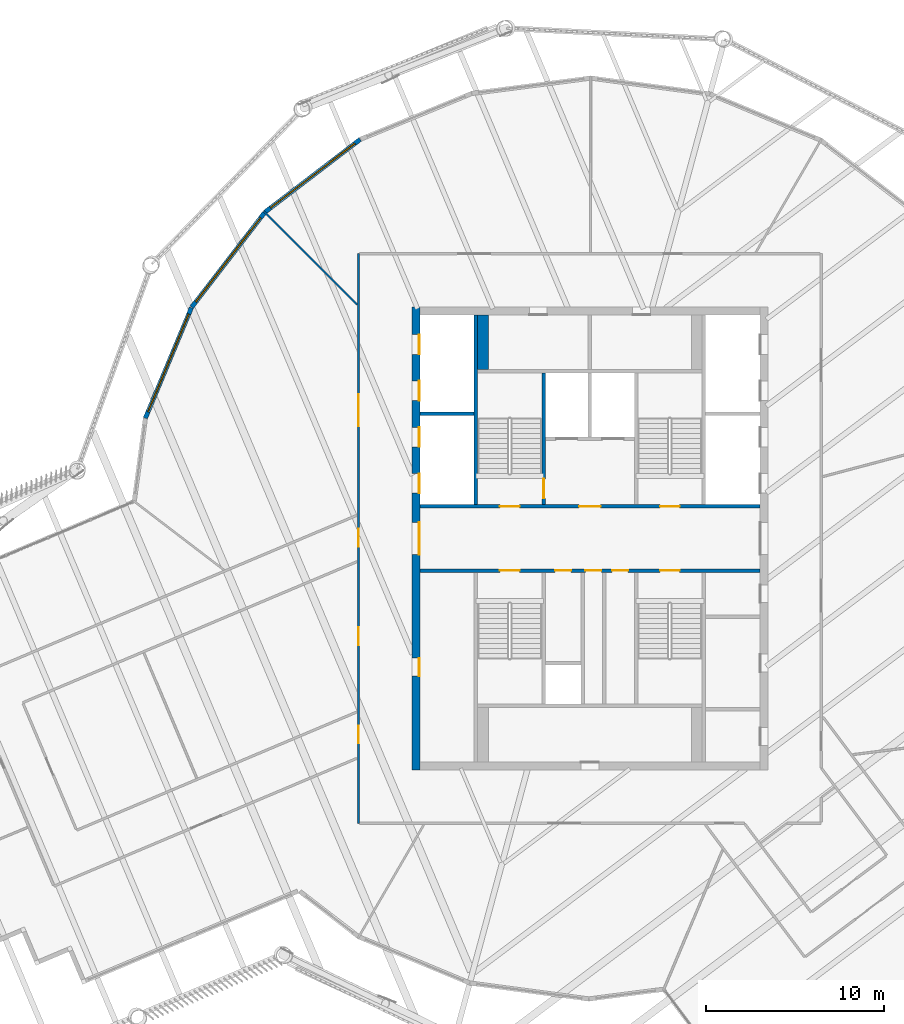
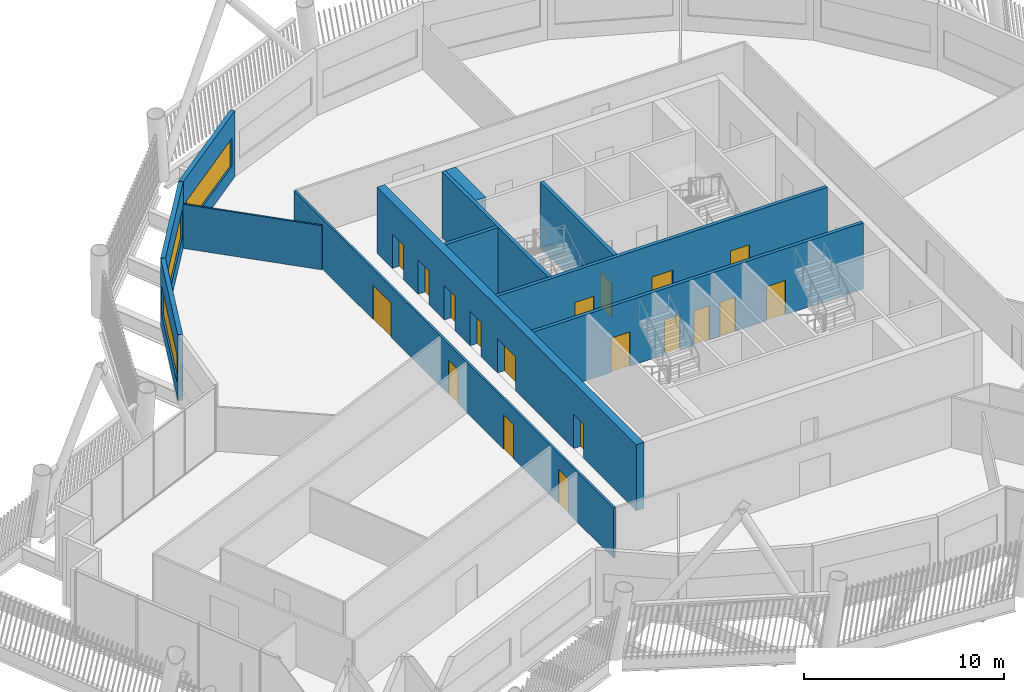
# One storey, part 18 of 35: 19 doors, 12 walls, 3 windows, 22 openings.
"""IFC4 building model written with IfcOpenShell, lengths in metres."""

from ifc_helpers import new_model, si_unit, direction, frame, frame_2d, origin, place, context, subcontext, project, spatial, rectangle, extrude, material, layer, layer_set, type_object, element, fill, save


model = new_model("IFC4")

# Units and contexts
model_context = context("Model", 3, precision=1e-05, world=origin(), true_north=direction((0.0, 1.0)))
body_context = subcontext(model_context, "Body", "Model", "MODEL_VIEW")
ifc_project = project(units=[si_unit("LENGTHUNIT", "METRE"), si_unit("AREAUNIT", "SQUARE_METRE"), si_unit("VOLUMEUNIT", "CUBIC_METRE"), si_unit("PLANEANGLEUNIT", "RADIAN"), si_unit("MASSUNIT", "GRAM", prefix="KILO")], contexts=[model_context])

# Site, building, storey
site_placement = place(None, origin())
site = spatial("IfcSite", under=ifc_project, at=site_placement, CompositionType="ELEMENT")
building_placement = place(site_placement, origin())
building = spatial("IfcBuilding", under=site, at=building_placement, Name="Tarsis Ring Headquarters", CompositionType="ELEMENT")
storey_placement = place(building_placement, frame((0.0, 0.0, 377.60009765625)))
storey = spatial("IfcBuildingStorey", under=building, at=storey_placement, Name="L89", CompositionType="ELEMENT", Elevation=377.60009765625)

# Wall, openings, doors
ifc_material_1 = material(Name="Concrete C50/60", Category="concrete")
ifc_layer_1 = layer(ifc_material_1, 0.449951171875)
ifc_layer_set_1 = layer_set([ifc_layer_1], Name="Core wall 450 C50/60")
wall_type_1 = type_object("IfcWallType", Name="Core wall 450 C50/60", PredefinedType="SHEAR", material=ifc_layer_set_1)
wall_1_placement = place(storey_placement, frame((-9.77490234375, -13.0, 0.0), z_axis=(0.0, 0.0, 1.0), x_axis=(0.0, 1.0, 0.0)))
wall_1 = element("IfcWall", 1, at=wall_1_placement, inside=storey, type_object=wall_type_1, Name="Core wall OW", PredefinedType="SHEAR", context=body_context, shape_type="SweptSolid", body=[
    extrude(rectangle(XDim=26.0, YDim=0.449951171875, at=frame_2d((13.0, 0.0))), origin(), (0.0, 0.0, 1.0), 4.039794921875),
])
opening_1_placement = place(wall_1_placement, frame((5.27490234375, 0.0, 0.0)))
opening_1 = element("IfcOpeningElement", 2, at=opening_1_placement, cuts=wall_1, Name="Opening L89-C01", PredefinedType="OPENING", context=body_context, shape_type="SweptSolid", body=[
    extrude(rectangle(XDim=1.0, YDim=2.10009765625, at=frame_2d((0.5, 1.050048828125))), frame((0.0, 0.23486328125, 0.0), z_axis=(0.0, -1.0, 0.0), x_axis=(1.0, 0.0, 0.0)), (0.0, 0.0, 1.0), 0.469970703125),
])
opening_2_placement = place(wall_1_placement, frame((12.10009765625, 0.0, 0.0)))
opening_2 = element("IfcOpeningElement", 3, at=opening_2_placement, cuts=wall_1, Name="Opening L89-C02", PredefinedType="OPENING", context=body_context, shape_type="SweptSolid", body=[
    extrude(rectangle(XDim=1.800048828125, YDim=2.10009765625, at=frame_2d((0.89990234375, 1.050048828125))), frame((0.0, 0.23486328125, 0.0), z_axis=(0.0, -1.0, 0.0), x_axis=(1.0, 0.0, 0.0)), (0.0, 0.0, 1.0), 0.469970703125),
])
opening_3_placement = place(wall_1_placement, frame((15.550048828125, 0.0, 0.0)))
opening_3 = element("IfcOpeningElement", 4, at=opening_3_placement, cuts=wall_1, Name="Opening LD-HR1", PredefinedType="OPENING", context=body_context, shape_type="SweptSolid", body=[
    extrude(rectangle(XDim=1.10009765625, YDim=2.10009765625, at=frame_2d((0.550048828125, 1.050048828125))), frame((0.0, 0.23486328125, 0.0), z_axis=(0.0, -1.0, 0.0), x_axis=(1.0, 0.0, 0.0)), (0.0, 0.0, 1.0), 0.469970703125),
])
opening_4_placement = place(wall_1_placement, frame((18.14990234375, 0.0, 0.0)))
opening_4 = element("IfcOpeningElement", 5, at=opening_4_placement, cuts=wall_1, Name="Opening LD-HR2", PredefinedType="OPENING", context=body_context, shape_type="SweptSolid", body=[
    extrude(rectangle(XDim=1.10009765625, YDim=2.10009765625, at=frame_2d((0.550048828125, 1.050048828125))), frame((0.0, 0.23486328125, 0.0), z_axis=(0.0, -1.0, 0.0), x_axis=(1.0, 0.0, 0.0)), (0.0, 0.0, 1.0), 0.469970703125),
])
opening_5_placement = place(wall_1_placement, frame((20.75, 0.0, 0.0)))
opening_5 = element("IfcOpeningElement", 6, at=opening_5_placement, cuts=wall_1, Name="Opening LD-HR3", PredefinedType="OPENING", context=body_context, shape_type="SweptSolid", body=[
    extrude(rectangle(XDim=1.10009765625, YDim=2.10009765625, at=frame_2d((0.550048828125, 1.050048828125))), frame((0.0, 0.23486328125, 0.0), z_axis=(0.0, -1.0, 0.0), x_axis=(1.0, 0.0, 0.0)), (0.0, 0.0, 1.0), 0.469970703125),
])
opening_6_placement = place(wall_1_placement, frame((23.35009765625, 0.0, 0.0)))
opening_6 = element("IfcOpeningElement", 7, at=opening_6_placement, cuts=wall_1, Name="Opening LD-HR4", PredefinedType="OPENING", context=body_context, shape_type="SweptSolid", body=[
    extrude(rectangle(XDim=1.10009765625, YDim=2.10009765625, at=frame_2d((0.550048828125, 1.050048828125))), frame((0.0, 0.23486328125, 0.0), z_axis=(0.0, -1.0, 0.0), x_axis=(1.0, 0.0, 0.0)), (0.0, 0.0, 1.0), 0.469970703125),
])
ifc_material_2 = material(Name="Steel S355", Category="steel")
door_type_1 = type_object("IfcDoorType", Name="Core entry door 1800x2100", OperationType="DOUBLE_DOOR_SINGLE_SWING", PredefinedType="DOOR", material=ifc_material_2)
door_1_placement = place(opening_2_placement, origin())
door_1 = element("IfcDoor", 8, at=door_1_placement, inside=storey, type_object=door_type_1, Name="Core entry door L89", OperationType="DOUBLE_DOOR_SINGLE_SWING", OverallHeight=2.10009765625, OverallWidth=1.800048828125, PredefinedType="DOOR", context=body_context, shape_type="SweptSolid", body=[
    extrude(rectangle(XDim=1.800048828125, YDim=2.10009765625, at=frame_2d((0.89990234375, 1.050048828125))), frame((0.0, -0.1748046875, 0.0), z_axis=(0.0, -1.0, 0.0), x_axis=(1.0, 0.0, 0.0)), (0.0, 0.0, 1.0), 0.050048828125),
])
fill(opening_2, door_1)
door_type_2 = type_object("IfcDoorType", Name="Core room door 1000x2100", OperationType="SINGLE_SWING_LEFT", PredefinedType="DOOR", material=ifc_material_2)
door_2_placement = place(opening_1_placement, origin())
door_2 = element("IfcDoor", 9, at=door_2_placement, inside=storey, type_object=door_type_2, Name="Core room door L89", OperationType="SINGLE_SWING_LEFT", OverallHeight=2.10009765625, OverallWidth=1.0, PredefinedType="DOOR", context=body_context, shape_type="SweptSolid", body=[
    extrude(rectangle(XDim=1.0, YDim=2.10009765625, at=frame_2d((0.5, 1.050048828125))), frame((0.0, -0.1748046875, 0.0), z_axis=(0.0, -1.0, 0.0), x_axis=(1.0, 0.0, 0.0)), (0.0, 0.0, 1.0), 0.050048828125),
])
fill(opening_1, door_2)
door_type_3 = type_object("IfcDoorType", Name="Landing door 1100x2100", OperationType="SLIDING_TO_LEFT", PredefinedType="DOOR", material=ifc_material_2)
door_3_placement = place(opening_3_placement, origin())
door_3 = element("IfcDoor", 10, at=door_3_placement, inside=storey, type_object=door_type_3, Name="Landing door HR1 L89", OperationType="SLIDING_TO_LEFT", OverallHeight=2.10009765625, OverallWidth=1.10009765625, PredefinedType="DOOR", context=body_context, shape_type="SweptSolid", body=[
    extrude(rectangle(XDim=1.10009765625, YDim=2.10009765625, at=frame_2d((0.550048828125, 1.050048828125))), frame((0.0, -0.1748046875, 0.0), z_axis=(0.0, -1.0, 0.0), x_axis=(1.0, 0.0, 0.0)), (0.0, 0.0, 1.0), 0.050048828125),
])
fill(opening_3, door_3)
door_4_placement = place(opening_4_placement, origin())
door_4 = element("IfcDoor", 11, at=door_4_placement, inside=storey, type_object=door_type_3, Name="Landing door HR2 L89", OperationType="SLIDING_TO_LEFT", OverallHeight=2.10009765625, OverallWidth=1.10009765625, PredefinedType="DOOR", context=body_context, shape_type="SweptSolid", body=[
    extrude(rectangle(XDim=1.10009765625, YDim=2.10009765625, at=frame_2d((0.550048828125, 1.050048828125))), frame((0.0, -0.1748046875, 0.0), z_axis=(0.0, -1.0, 0.0), x_axis=(1.0, 0.0, 0.0)), (0.0, 0.0, 1.0), 0.050048828125),
])
fill(opening_4, door_4)
door_5_placement = place(opening_5_placement, origin())
door_5 = element("IfcDoor", 12, at=door_5_placement, inside=storey, type_object=door_type_3, Name="Landing door HR3 L89", OperationType="SLIDING_TO_LEFT", OverallHeight=2.10009765625, OverallWidth=1.10009765625, PredefinedType="DOOR", context=body_context, shape_type="SweptSolid", body=[
    extrude(rectangle(XDim=1.10009765625, YDim=2.10009765625, at=frame_2d((0.550048828125, 1.050048828125))), frame((0.0, -0.1748046875, 0.0), z_axis=(0.0, -1.0, 0.0), x_axis=(1.0, 0.0, 0.0)), (0.0, 0.0, 1.0), 0.050048828125),
])
fill(opening_5, door_5)
door_6_placement = place(opening_6_placement, origin())
door_6 = element("IfcDoor", 13, at=door_6_placement, inside=storey, type_object=door_type_3, Name="Landing door HR4 L89", OperationType="SLIDING_TO_LEFT", OverallHeight=2.10009765625, OverallWidth=1.10009765625, PredefinedType="DOOR", context=body_context, shape_type="SweptSolid", body=[
    extrude(rectangle(XDim=1.10009765625, YDim=2.10009765625, at=frame_2d((0.550048828125, 1.050048828125))), frame((0.0, -0.1748046875, 0.0), z_axis=(0.0, -1.0, 0.0), x_axis=(1.0, 0.0, 0.0)), (0.0, 0.0, 1.0), 0.050048828125),
])
fill(opening_6, door_6)

# Wall
ifc_material_3 = material(Name="Gypsum board on steel studs", Category="steel")
ifc_layer_2 = layer(ifc_material_3, 0.10009765625)
ifc_layer_set_2 = layer_set([ifc_layer_2], Name="FL partition 100 unrated")
wall_type_2 = type_object("IfcWallType", Name="FL partition 100 unrated", PredefinedType="PARTITIONING", material=ifc_layer_set_2)
wall_2_placement = place(storey_placement, frame((-18.309326171875, 18.38623046875, 0.0), z_axis=(0.0, 0.0, 1.0), x_axis=(0.705621441005, -0.708589007813, 0.0)))
element("IfcWall", 14, at=wall_2_placement, inside=storey, type_object=wall_type_2, Name="Partition PW3", PredefinedType="PARTITIONING", context=body_context, shape_type="SweptSolid", body=[
    extrude(rectangle(XDim=7.404296875, YDim=0.10009765625, at=frame_2d((3.7021484375, 0.0))), origin(), (0.0, 0.0, 1.0), 2.699951171875),
])

# Wall, openings, doors
ifc_layer_3 = layer(ifc_material_3, 0.125)
ifc_layer_set_3 = layer_set([ifc_layer_3], Name="FL partition 125 EI 60 H3070")
wall_type_3 = type_object("IfcWallType", Name="FL partition 125 EI 60 H3070", PredefinedType="PARTITIONING", material=ifc_layer_set_3)
wall_3_placement = place(storey_placement, frame((-13.0, -16.0, 0.0), z_axis=(0.0, 0.0, 1.0), x_axis=(0.0, 1.0, 0.0)))
wall_3 = element("IfcWall", 15, at=wall_3_placement, inside=storey, type_object=wall_type_3, Name="Partition PW1H307", PredefinedType="PARTITIONING", context=body_context, shape_type="SweptSolid", body=[
    extrude(rectangle(XDim=32.0, YDim=0.125, at=frame_2d((16.0, 0.0))), origin(), (0.0, 0.0, 1.0), 3.06982421875),
])
opening_7_placement = place(wall_3_placement, frame((22.2978515625, 0.0, 0.0)))
opening_7 = element("IfcOpeningElement", 16, at=opening_7_placement, cuts=wall_3, Name="Opening D89.03", PredefinedType="OPENING", context=body_context, shape_type="SweptSolid", body=[
    extrude(rectangle(XDim=1.800048828125, YDim=2.10009765625, at=frame_2d((0.89990234375, 1.050048828125))), frame((0.0, 0.072509765625, 0.0), z_axis=(0.0, -1.0, 0.0), x_axis=(1.0, 0.0, 0.0)), (0.0, 0.0, 1.0), 0.14501953125),
])
opening_8_placement = place(wall_3_placement, frame((10.013916015625, 0.0, 0.0)))
opening_8 = element("IfcOpeningElement", 17, at=opening_8_placement, cuts=wall_3, Name="Opening D89.10", PredefinedType="OPENING", context=body_context, shape_type="SweptSolid", body=[
    extrude(rectangle(XDim=1.0, YDim=2.10009765625, at=frame_2d((0.5, 1.050048828125))), frame((0.0, 0.072509765625, 0.0), z_axis=(0.0, -1.0, 0.0), x_axis=(1.0, 0.0, 0.0)), (0.0, 0.0, 1.0), 0.14501953125),
])
opening_9_placement = place(wall_3_placement, frame((4.4892578125, 0.0, 0.0)))
opening_9 = element("IfcOpeningElement", 18, at=opening_9_placement, cuts=wall_3, Name="Opening D89.15", PredefinedType="OPENING", context=body_context, shape_type="SweptSolid", body=[
    extrude(rectangle(XDim=1.0, YDim=2.10009765625, at=frame_2d((0.5, 1.050048828125))), frame((0.0, 0.072509765625, 0.0), z_axis=(0.0, -1.0, 0.0), x_axis=(1.0, 0.0, 0.0)), (0.0, 0.0, 1.0), 0.14501953125),
])
opening_10_placement = place(wall_3_placement, frame((15.53857421875, 0.0, 0.0)))
opening_10 = element("IfcOpeningElement", 19, at=opening_10_placement, cuts=wall_3, Name="Opening D89.16", PredefinedType="OPENING", context=body_context, shape_type="SweptSolid", body=[
    extrude(rectangle(XDim=1.0, YDim=2.10009765625, at=frame_2d((0.5, 1.050048828125))), frame((0.0, 0.072509765625, 0.0), z_axis=(0.0, -1.0, 0.0), x_axis=(1.0, 0.0, 0.0)), (0.0, 0.0, 1.0), 0.14501953125),
])
ifc_material_4 = material(Name="Fire-rated timber door leaf in steel frame", Category="steel")
door_type_4 = type_object("IfcDoorType", Name="FL door FD60-1000", OperationType="NOTDEFINED", PredefinedType="DOOR", material=ifc_material_4)
door_7_placement = place(opening_8_placement, origin())
door_7 = element("IfcDoor", 20, at=door_7_placement, inside=storey, type_object=door_type_4, Name="Door D89.10", OperationType="SINGLE_SWING_LEFT", OverallHeight=2.10009765625, OverallWidth=1.0, PredefinedType="DOOR", context=body_context, shape_type="SweptSolid", body=[
    extrude(rectangle(XDim=1.0, YDim=2.10009765625, at=frame_2d((0.5, 1.050048828125))), frame((0.0, 0.02490234375, 0.0), z_axis=(0.0, -1.0, 0.0), x_axis=(1.0, 0.0, 0.0)), (0.0, 0.0, 1.0), 0.050048828125),
])
fill(opening_8, door_7)
door_8_placement = place(opening_9_placement, origin())
door_8 = element("IfcDoor", 21, at=door_8_placement, inside=storey, type_object=door_type_4, Name="Door D89.15", OperationType="SINGLE_SWING_RIGHT", OverallHeight=2.10009765625, OverallWidth=1.0, PredefinedType="DOOR", context=body_context, shape_type="SweptSolid", body=[
    extrude(rectangle(XDim=1.0, YDim=2.10009765625, at=frame_2d((0.5, 1.050048828125))), frame((0.0, 0.02490234375, 0.0), z_axis=(0.0, -1.0, 0.0), x_axis=(1.0, 0.0, 0.0)), (0.0, 0.0, 1.0), 0.050048828125),
])
fill(opening_9, door_8)
door_9_placement = place(opening_10_placement, origin())
door_9 = element("IfcDoor", 22, at=door_9_placement, inside=storey, type_object=door_type_4, Name="Door D89.16", OperationType="SINGLE_SWING_LEFT", OverallHeight=2.10009765625, OverallWidth=1.0, PredefinedType="DOOR", context=body_context, shape_type="SweptSolid", body=[
    extrude(rectangle(XDim=1.0, YDim=2.10009765625, at=frame_2d((0.5, 1.050048828125))), frame((0.0, 0.02490234375, 0.0), z_axis=(0.0, -1.0, 0.0), x_axis=(1.0, 0.0, 0.0)), (0.0, 0.0, 1.0), 0.050048828125),
])
fill(opening_10, door_9)
door_type_5 = type_object("IfcDoorType", Name="FL door FD60-1800", OperationType="DOUBLE_DOOR_SINGLE_SWING", PredefinedType="DOOR", material=ifc_material_4)
door_10_placement = place(opening_7_placement, origin())
door_10 = element("IfcDoor", 23, at=door_10_placement, inside=storey, type_object=door_type_5, Name="Door D89.03", OperationType="DOUBLE_DOOR_SINGLE_SWING", OverallHeight=2.10009765625, OverallWidth=1.800048828125, PredefinedType="DOOR", context=body_context, shape_type="SweptSolid", body=[
    extrude(rectangle(XDim=1.800048828125, YDim=2.10009765625, at=frame_2d((0.89990234375, 1.050048828125))), frame((0.0, 0.02490234375, 0.0), z_axis=(0.0, -1.0, 0.0), x_axis=(1.0, 0.0, 0.0)), (0.0, 0.0, 1.0), 0.050048828125),
])
fill(opening_7, door_10)

# Wall, opening, window
ifc_material_5 = material(Name="Terracotta clad insulated panel wall", Category="masonry")
ifc_layer_4 = layer(ifc_material_5, 0.25)
ifc_layer_set_4 = layer_set([ifc_layer_4], Name="Facade wall terracotta panel 250")
wall_type_4 = type_object("IfcWallType", Name="Facade wall terracotta panel 250", PredefinedType="STANDARD", material=ifc_layer_set_4)
wall_4_placement = place(storey_placement, frame((-12.903076171875, 22.424560546875, 0.0), z_axis=(0.0, 0.0, 1.0), x_axis=(-0.794628904217, -0.60709546579, 0.0)))
wall_4 = element("IfcWall", 24, at=wall_4_placement, inside=storey, type_object=wall_type_4, Name="External wall L89-27", PredefinedType="STANDARD", context=body_context, shape_type="SweptSolid", body=[
    extrude(rectangle(XDim=6.721435546875, YDim=0.25, at=frame_2d((3.36083984375, 0.0))), origin(), (0.0, 0.0, 1.0), 4.039794921875),
])
opening_11_placement = place(wall_4_placement, frame((0.3857421875, 0.0, 0.89990234375)))
opening_11 = element("IfcOpeningElement", 25, at=opening_11_placement, cuts=wall_4, Name="Opening WN07", PredefinedType="OPENING", context=body_context, shape_type="SweptSolid", body=[
    extrude(rectangle(XDim=5.949951171875, YDim=1.699951171875, at=frame_2d((2.97509765625, 0.85009765625))), frame((0.0, 0.135009765625, 0.0), z_axis=(0.0, -1.0, 0.0), x_axis=(1.0, 0.0, 0.0)), (0.0, 0.0, 1.0), 0.27001953125),
])
ifc_material_6 = material(Name="Aluminium framed double glazing", Category="aluminium")
window_type = type_object("IfcWindowType", Name="Facade window 5950 x 1700", PartitioningType="SINGLE_PANEL", PredefinedType="WINDOW", material=ifc_material_6)
window_1_placement = place(opening_11_placement, origin())
window_1 = element("IfcWindow", 26, at=window_1_placement, inside=storey, type_object=window_type, Name="Window L89-27.1", OverallHeight=1.699951171875, OverallWidth=5.949951171875, PartitioningType="SINGLE_PANEL", PredefinedType="WINDOW", context=body_context, shape_type="SweptSolid", body=[
    extrude(rectangle(XDim=5.949951171875, YDim=1.699951171875, at=frame_2d((2.97509765625, 0.85009765625))), frame((0.0, 0.030029296875, 0.0), z_axis=(0.0, -1.0, 0.0), x_axis=(1.0, 0.0, 0.0)), (0.0, 0.0, 1.0), 0.06005859375),
])
fill(opening_11, window_1)

wall_5_placement = place(storey_placement, frame((-18.267333984375, 18.32080078125, 0.0), z_axis=(0.0, 0.0, 1.0), x_axis=(-0.610426688997, -0.792072760143, 0.0)))
wall_5 = element("IfcWall", 27, at=wall_5_placement, inside=storey, type_object=wall_type_4, Name="External wall L89-28", PredefinedType="STANDARD", context=body_context, shape_type="SweptSolid", body=[
    extrude(rectangle(XDim=6.7216796875, YDim=0.25, at=frame_2d((3.36083984375, 0.0))), origin(), (0.0, 0.0, 1.0), 4.039794921875),
])
opening_12_placement = place(wall_5_placement, frame((0.3857421875, 0.0, 0.89990234375)))
opening_12 = element("IfcOpeningElement", 28, at=opening_12_placement, cuts=wall_5, Name="Opening WN07", PredefinedType="OPENING", context=body_context, shape_type="SweptSolid", body=[
    extrude(rectangle(XDim=5.949951171875, YDim=1.699951171875, at=frame_2d((2.97509765625, 0.85009765625))), frame((0.0, 0.135009765625, 0.0), z_axis=(0.0, -1.0, 0.0), x_axis=(1.0, 0.0, 0.0)), (0.0, 0.0, 1.0), 0.27001953125),
])
window_2_placement = place(opening_12_placement, origin())
window_2 = element("IfcWindow", 29, at=window_2_placement, inside=storey, type_object=window_type, Name="Window L89-28.1", OverallHeight=1.699951171875, OverallWidth=5.949951171875, PartitioningType="SINGLE_PANEL", PredefinedType="WINDOW", context=body_context, shape_type="SweptSolid", body=[
    extrude(rectangle(XDim=5.949951171875, YDim=1.699951171875, at=frame_2d((2.97509765625, 0.85009765625))), frame((0.0, 0.030029296875, 0.0), z_axis=(0.0, -1.0, 0.0), x_axis=(1.0, 0.0, 0.0)), (0.0, 0.0, 1.0), 0.06005859375),
])
fill(opening_12, window_2)

wall_6_placement = place(storey_placement, frame((-22.38671875, 12.96875, 0.0), z_axis=(0.0, 0.0, 1.0), x_axis=(-0.384610226502, -0.923079072274, 0.0)))
wall_6 = element("IfcWall", 30, at=wall_6_placement, inside=storey, type_object=wall_type_4, Name="External wall L89-29", PredefinedType="STANDARD", context=body_context, shape_type="SweptSolid", body=[
    extrude(rectangle(XDim=6.7216796875, YDim=0.25, at=frame_2d((3.36083984375, 0.0))), origin(), (0.0, 0.0, 1.0), 4.039794921875),
])
opening_13_placement = place(wall_6_placement, frame((0.3857421875, 0.0, 0.89990234375)))
opening_13 = element("IfcOpeningElement", 31, at=opening_13_placement, cuts=wall_6, Name="Opening WN07", PredefinedType="OPENING", context=body_context, shape_type="SweptSolid", body=[
    extrude(rectangle(XDim=5.949951171875, YDim=1.699951171875, at=frame_2d((2.97509765625, 0.85009765625))), frame((0.0, 0.135009765625, 0.0), z_axis=(0.0, -1.0, 0.0), x_axis=(1.0, 0.0, 0.0)), (0.0, 0.0, 1.0), 0.27001953125),
])
window_3_placement = place(opening_13_placement, origin())
window_3 = element("IfcWindow", 32, at=window_3_placement, inside=storey, type_object=window_type, Name="Window L89-29.1", OverallHeight=1.699951171875, OverallWidth=5.949951171875, PartitioningType="SINGLE_PANEL", PredefinedType="WINDOW", context=body_context, shape_type="SweptSolid", body=[
    extrude(rectangle(XDim=5.949951171875, YDim=1.699951171875, at=frame_2d((2.97509765625, 0.85009765625))), frame((0.0, 0.030029296875, 0.0), z_axis=(0.0, -1.0, 0.0), x_axis=(1.0, 0.0, 0.0)), (0.0, 0.0, 1.0), 0.06005859375),
])
fill(opening_13, window_3)

# Wall
ifc_material_7 = material(Name="Concrete C32/40", Category="concrete")
ifc_layer_5 = layer(ifc_material_7, 0.60009765625)
ifc_layer_set_5 = layer_set([ifc_layer_5], Name="Shaft end wall 600 C32/40")
wall_type_5 = type_object("IfcWallType", Name="Shaft end wall 600 C32/40", PredefinedType="SOLIDWALL", material=ifc_layer_set_5)
wall_7_placement = place(storey_placement, frame((-6.0, 9.5, 0.0), z_axis=(0.0, 0.0, 1.0), x_axis=(0.0, 1.0, 0.0)))
element("IfcWall", 33, at=wall_7_placement, inside=storey, type_object=wall_type_5, Name="Core shaft wall NNE1", PredefinedType="SOLIDWALL", context=body_context, shape_type="SweptSolid", body=[
    extrude(rectangle(XDim=3.050048828125, YDim=0.60009765625, at=frame_2d((1.52490234375, 0.0))), origin(), (0.0, 0.0, 1.0), 4.039794921875),
])

# Wall, openings, doors
ifc_layer_6 = layer(ifc_material_7, 0.199951171875)
ifc_layer_set_6 = layer_set([ifc_layer_6], Name="Shaft wall 200 C32/40")
wall_type_6 = type_object("IfcWallType", Name="Shaft wall 200 C32/40", PredefinedType="SOLIDWALL", material=ifc_layer_set_6)
wall_8_placement = place(storey_placement, frame((-9.550048828125, 1.800048828125, 0.0), z_axis=(0.0, 0.0, 1.0), x_axis=(1.0, 0.0, 0.0)))
wall_8 = element("IfcWall", 34, at=wall_8_placement, inside=storey, type_object=wall_type_6, Name="Core shaft wall CN", PredefinedType="SOLIDWALL", context=body_context, shape_type="SweptSolid", body=[
    extrude(rectangle(XDim=19.10009765625, YDim=0.199951171875, at=frame_2d((9.550048828125, 0.0))), origin(), (0.0, 0.0, 1.0), 4.039794921875),
])
opening_14_placement = place(wall_8_placement, frame((4.5, 0.0, 0.0)))
opening_14 = element("IfcOpeningElement", 35, at=opening_14_placement, cuts=wall_8, Name="Opening L89-C18", PredefinedType="OPENING", context=body_context, shape_type="SweptSolid", body=[
    extrude(rectangle(XDim=1.10009765625, YDim=2.10009765625, at=frame_2d((0.550048828125, 1.050048828125))), frame((0.0, 0.10986328125, 0.0), z_axis=(0.0, -1.0, 0.0), x_axis=(1.0, 0.0, 0.0)), (0.0, 0.0, 1.0), 0.219970703125),
])
opening_15_placement = place(wall_8_placement, frame((8.949951171875, 0.0, 0.0)))
opening_15 = element("IfcOpeningElement", 36, at=opening_15_placement, cuts=wall_8, Name="Opening L89-C19", PredefinedType="OPENING", context=body_context, shape_type="SweptSolid", body=[
    extrude(rectangle(XDim=1.199951171875, YDim=2.10009765625, at=frame_2d((0.60009765625, 1.050048828125))), frame((0.0, 0.10986328125, 0.0), z_axis=(0.0, -1.0, 0.0), x_axis=(1.0, 0.0, 0.0)), (0.0, 0.0, 1.0), 0.219970703125),
])
opening_16_placement = place(wall_8_placement, frame((13.5, 0.0, 0.0)))
opening_16 = element("IfcOpeningElement", 37, at=opening_16_placement, cuts=wall_8, Name="Opening L89-C20", PredefinedType="OPENING", context=body_context, shape_type="SweptSolid", body=[
    extrude(rectangle(XDim=1.10009765625, YDim=2.10009765625, at=frame_2d((0.550048828125, 1.050048828125))), frame((0.0, 0.10986328125, 0.0), z_axis=(0.0, -1.0, 0.0), x_axis=(1.0, 0.0, 0.0)), (0.0, 0.0, 1.0), 0.219970703125),
])
door_type_6 = type_object("IfcDoorType", Name="Firefighting lobby door 1200x2100", OperationType="DOUBLE_DOOR_SINGLE_SWING", PredefinedType="DOOR", material=ifc_material_2)
door_11_placement = place(opening_15_placement, origin())
door_11 = element("IfcDoor", 38, at=door_11_placement, inside=storey, type_object=door_type_6, Name="Firefighting lobby door L89", OperationType="DOUBLE_DOOR_SINGLE_SWING", OverallHeight=2.10009765625, OverallWidth=1.199951171875, PredefinedType="DOOR", context=body_context, shape_type="SweptSolid", body=[
    extrude(rectangle(XDim=1.199951171875, YDim=2.10009765625, at=frame_2d((0.60009765625, 1.050048828125))), frame((0.0, 0.02490234375, 0.0), z_axis=(0.0, -1.0, 0.0), x_axis=(1.0, 0.0, 0.0)), (0.0, 0.0, 1.0), 0.050048828125),
])
fill(opening_15, door_11)
door_type_7 = type_object("IfcDoorType", Name="Stair door 1100x2100", OperationType="SINGLE_SWING_LEFT", PredefinedType="DOOR", material=ifc_material_2)
door_12_placement = place(opening_14_placement, origin())
door_12 = element("IfcDoor", 39, at=door_12_placement, inside=storey, type_object=door_type_7, Name="Stair door L89", OperationType="SINGLE_SWING_LEFT", OverallHeight=2.10009765625, OverallWidth=1.10009765625, PredefinedType="DOOR", context=body_context, shape_type="SweptSolid", body=[
    extrude(rectangle(XDim=1.10009765625, YDim=2.10009765625, at=frame_2d((0.550048828125, 1.050048828125))), frame((0.0, 0.02490234375, 0.0), z_axis=(0.0, -1.0, 0.0), x_axis=(1.0, 0.0, 0.0)), (0.0, 0.0, 1.0), 0.050048828125),
])
fill(opening_14, door_12)
door_13_placement = place(opening_16_placement, origin())
door_13 = element("IfcDoor", 40, at=door_13_placement, inside=storey, type_object=door_type_7, Name="Stair door L89", OperationType="SINGLE_SWING_LEFT", OverallHeight=2.10009765625, OverallWidth=1.10009765625, PredefinedType="DOOR", context=body_context, shape_type="SweptSolid", body=[
    extrude(rectangle(XDim=1.10009765625, YDim=2.10009765625, at=frame_2d((0.550048828125, 1.050048828125))), frame((0.0, 0.02490234375, 0.0), z_axis=(0.0, -1.0, 0.0), x_axis=(1.0, 0.0, 0.0)), (0.0, 0.0, 1.0), 0.050048828125),
])
fill(opening_16, door_13)

wall_9_placement = place(storey_placement, frame((-9.550048828125, -1.800048828125, 0.0), z_axis=(0.0, 0.0, 1.0), x_axis=(1.0, 0.0, 0.0)))
wall_9 = element("IfcWall", 41, at=wall_9_placement, inside=storey, type_object=wall_type_6, Name="Core shaft wall CS", PredefinedType="SOLIDWALL", context=body_context, shape_type="SweptSolid", body=[
    extrude(rectangle(XDim=19.10009765625, YDim=0.199951171875, at=frame_2d((9.550048828125, 0.0))), origin(), (0.0, 0.0, 1.0), 4.039794921875),
])
opening_17_placement = place(wall_9_placement, frame((4.5, 0.0, 0.0)))
opening_17 = element("IfcOpeningElement", 42, at=opening_17_placement, cuts=wall_9, Name="Opening L89-C21", PredefinedType="OPENING", context=body_context, shape_type="SweptSolid", body=[
    extrude(rectangle(XDim=1.10009765625, YDim=2.10009765625, at=frame_2d((0.550048828125, 1.050048828125))), frame((0.0, 0.10986328125, 0.0), z_axis=(0.0, -1.0, 0.0), x_axis=(1.0, 0.0, 0.0)), (0.0, 0.0, 1.0), 0.219970703125),
])
opening_18_placement = place(wall_9_placement, frame((7.60009765625, 0.0, 0.0)))
opening_18 = element("IfcOpeningElement", 43, at=opening_18_placement, cuts=wall_9, Name="Opening L89-C22", PredefinedType="OPENING", context=body_context, shape_type="SweptSolid", body=[
    extrude(rectangle(XDim=0.89990234375, YDim=2.10009765625, at=frame_2d((0.449951171875, 1.050048828125))), frame((0.0, 0.10986328125, 0.0), z_axis=(0.0, -1.0, 0.0), x_axis=(1.0, 0.0, 0.0)), (0.0, 0.0, 1.0), 0.219970703125),
])
opening_19_placement = place(wall_9_placement, frame((9.300048828125, 0.0, 0.0)))
opening_19 = element("IfcOpeningElement", 44, at=opening_19_placement, cuts=wall_9, Name="Opening L89-C23", PredefinedType="OPENING", context=body_context, shape_type="SweptSolid", body=[
    extrude(rectangle(XDim=0.89990234375, YDim=2.10009765625, at=frame_2d((0.449951171875, 1.050048828125))), frame((0.0, 0.10986328125, 0.0), z_axis=(0.0, -1.0, 0.0), x_axis=(1.0, 0.0, 0.0)), (0.0, 0.0, 1.0), 0.219970703125),
])
opening_20_placement = place(wall_9_placement, frame((10.800048828125, 0.0, 0.0)))
opening_20 = element("IfcOpeningElement", 45, at=opening_20_placement, cuts=wall_9, Name="Opening L89-C24", PredefinedType="OPENING", context=body_context, shape_type="SweptSolid", body=[
    extrude(rectangle(XDim=0.89990234375, YDim=2.10009765625, at=frame_2d((0.449951171875, 1.050048828125))), frame((0.0, 0.10986328125, 0.0), z_axis=(0.0, -1.0, 0.0), x_axis=(1.0, 0.0, 0.0)), (0.0, 0.0, 1.0), 0.219970703125),
])
opening_21_placement = place(wall_9_placement, frame((13.5, 0.0, 0.0)))
opening_21 = element("IfcOpeningElement", 46, at=opening_21_placement, cuts=wall_9, Name="Opening L89-C25", PredefinedType="OPENING", context=body_context, shape_type="SweptSolid", body=[
    extrude(rectangle(XDim=1.10009765625, YDim=2.10009765625, at=frame_2d((0.550048828125, 1.050048828125))), frame((0.0, 0.10986328125, 0.0), z_axis=(0.0, -1.0, 0.0), x_axis=(1.0, 0.0, 0.0)), (0.0, 0.0, 1.0), 0.219970703125),
])
door_14_placement = place(opening_17_placement, origin())
door_14 = element("IfcDoor", 47, at=door_14_placement, inside=storey, type_object=door_type_7, Name="Stair door L89", OperationType="SINGLE_SWING_LEFT", OverallHeight=2.10009765625, OverallWidth=1.10009765625, PredefinedType="DOOR", context=body_context, shape_type="SweptSolid", body=[
    extrude(rectangle(XDim=1.10009765625, YDim=2.10009765625, at=frame_2d((0.550048828125, 1.050048828125))), frame((0.0, 0.02490234375, 0.0), z_axis=(0.0, -1.0, 0.0), x_axis=(1.0, 0.0, 0.0)), (0.0, 0.0, 1.0), 0.050048828125),
])
fill(opening_17, door_14)
door_15_placement = place(opening_21_placement, origin())
door_15 = element("IfcDoor", 48, at=door_15_placement, inside=storey, type_object=door_type_7, Name="Stair door L89", OperationType="SINGLE_SWING_LEFT", OverallHeight=2.10009765625, OverallWidth=1.10009765625, PredefinedType="DOOR", context=body_context, shape_type="SweptSolid", body=[
    extrude(rectangle(XDim=1.10009765625, YDim=2.10009765625, at=frame_2d((0.550048828125, 1.050048828125))), frame((0.0, 0.02490234375, 0.0), z_axis=(0.0, -1.0, 0.0), x_axis=(1.0, 0.0, 0.0)), (0.0, 0.0, 1.0), 0.050048828125),
])
fill(opening_21, door_15)
door_type_8 = type_object("IfcDoorType", Name="WC door 900x2100", OperationType="SINGLE_SWING_LEFT", PredefinedType="DOOR", material=ifc_material_2)
door_16_placement = place(opening_18_placement, origin())
door_16 = element("IfcDoor", 49, at=door_16_placement, inside=storey, type_object=door_type_8, Name="WC door L89", OperationType="SINGLE_SWING_LEFT", OverallHeight=2.10009765625, OverallWidth=0.89990234375, PredefinedType="DOOR", context=body_context, shape_type="SweptSolid", body=[
    extrude(rectangle(XDim=0.89990234375, YDim=2.10009765625, at=frame_2d((0.449951171875, 1.050048828125))), frame((0.0, 0.02490234375, 0.0), z_axis=(0.0, -1.0, 0.0), x_axis=(1.0, 0.0, 0.0)), (0.0, 0.0, 1.0), 0.050048828125),
])
fill(opening_18, door_16)
door_17_placement = place(opening_19_placement, origin())
door_17 = element("IfcDoor", 50, at=door_17_placement, inside=storey, type_object=door_type_8, Name="WC door L89", OperationType="SINGLE_SWING_LEFT", OverallHeight=2.10009765625, OverallWidth=0.89990234375, PredefinedType="DOOR", context=body_context, shape_type="SweptSolid", body=[
    extrude(rectangle(XDim=0.89990234375, YDim=2.10009765625, at=frame_2d((0.449951171875, 1.050048828125))), frame((0.0, 0.02490234375, 0.0), z_axis=(0.0, -1.0, 0.0), x_axis=(1.0, 0.0, 0.0)), (0.0, 0.0, 1.0), 0.050048828125),
])
fill(opening_19, door_17)
door_18_placement = place(opening_20_placement, origin())
door_18 = element("IfcDoor", 51, at=door_18_placement, inside=storey, type_object=door_type_8, Name="WC door L89", OperationType="SINGLE_SWING_LEFT", OverallHeight=2.10009765625, OverallWidth=0.89990234375, PredefinedType="DOOR", context=body_context, shape_type="SweptSolid", body=[
    extrude(rectangle(XDim=0.89990234375, YDim=2.10009765625, at=frame_2d((0.449951171875, 1.050048828125))), frame((0.0, 0.02490234375, 0.0), z_axis=(0.0, -1.0, 0.0), x_axis=(1.0, 0.0, 0.0)), (0.0, 0.0, 1.0), 0.050048828125),
])
fill(opening_20, door_18)

# Wall
wall_10_placement = place(storey_placement, frame((-6.39990234375, 1.89990234375, 0.0), z_axis=(0.0, 0.0, 1.0), x_axis=(0.0, 1.0, 0.0)))
element("IfcWall", 52, at=wall_10_placement, inside=storey, type_object=wall_type_6, Name="Core shaft wall WB2", PredefinedType="SOLIDWALL", context=body_context, shape_type="SweptSolid", body=[
    extrude(rectangle(XDim=10.650146484375, YDim=0.199951171875, at=frame_2d((5.3251953125, 0.0))), origin(), (0.0, 0.0, 1.0), 4.039794921875),
])

# Wall, opening, door
wall_11_placement = place(storey_placement, frame((-2.60009765625, 1.89990234375, 0.0), z_axis=(0.0, 0.0, 1.0), x_axis=(0.0, 1.0, 0.0)))
wall_11 = element("IfcWall", 53, at=wall_11_placement, inside=storey, type_object=wall_type_6, Name="Core shaft wall SW1", PredefinedType="SOLIDWALL", context=body_context, shape_type="SweptSolid", body=[
    extrude(rectangle(XDim=7.400146484375, YDim=0.199951171875, at=frame_2d((3.7001953125, 0.0))), origin(), (0.0, 0.0, 1.0), 4.039794921875),
])
opening_22_placement = place(wall_11_placement, frame((0.35009765625, 0.0, 0.0)))
opening_22 = element("IfcOpeningElement", 54, at=opening_22_placement, cuts=wall_11, Name="Opening L89-C26", PredefinedType="OPENING", context=body_context, shape_type="SweptSolid", body=[
    extrude(rectangle(XDim=1.10009765625, YDim=2.10009765625, at=frame_2d((0.550048828125, 1.050048828125))), frame((0.0, 0.10986328125, 0.0), z_axis=(0.0, -1.0, 0.0), x_axis=(1.0, 0.0, 0.0)), (0.0, 0.0, 1.0), 0.219970703125),
])
door_19_placement = place(opening_22_placement, origin())
door_19 = element("IfcDoor", 55, at=door_19_placement, inside=storey, type_object=door_type_7, Name="Stair door L89", OperationType="SINGLE_SWING_LEFT", OverallHeight=2.10009765625, OverallWidth=1.10009765625, PredefinedType="DOOR", context=body_context, shape_type="SweptSolid", body=[
    extrude(rectangle(XDim=1.10009765625, YDim=2.10009765625, at=frame_2d((0.550048828125, 1.050048828125))), frame((0.0, 0.02490234375, 0.0), z_axis=(0.0, -1.0, 0.0), x_axis=(1.0, 0.0, 0.0)), (0.0, 0.0, 1.0), 0.050048828125),
])
fill(opening_22, door_19)

# Wall
wall_12_placement = place(storey_placement, frame((-9.550048828125, 7.0, 0.0), z_axis=(0.0, 0.0, 1.0), x_axis=(1.0, 0.0, 0.0)))
element("IfcWall", 56, at=wall_12_placement, inside=storey, type_object=wall_type_6, Name="Core shaft wall WD6", PredefinedType="SOLIDWALL", context=body_context, shape_type="SweptSolid", body=[
    extrude(rectangle(XDim=3.050048828125, YDim=0.199951171875, at=frame_2d((1.52490234375, 0.0))), origin(), (0.0, 0.0, 1.0), 4.039794921875),
])

save(model, "model.ifc")
